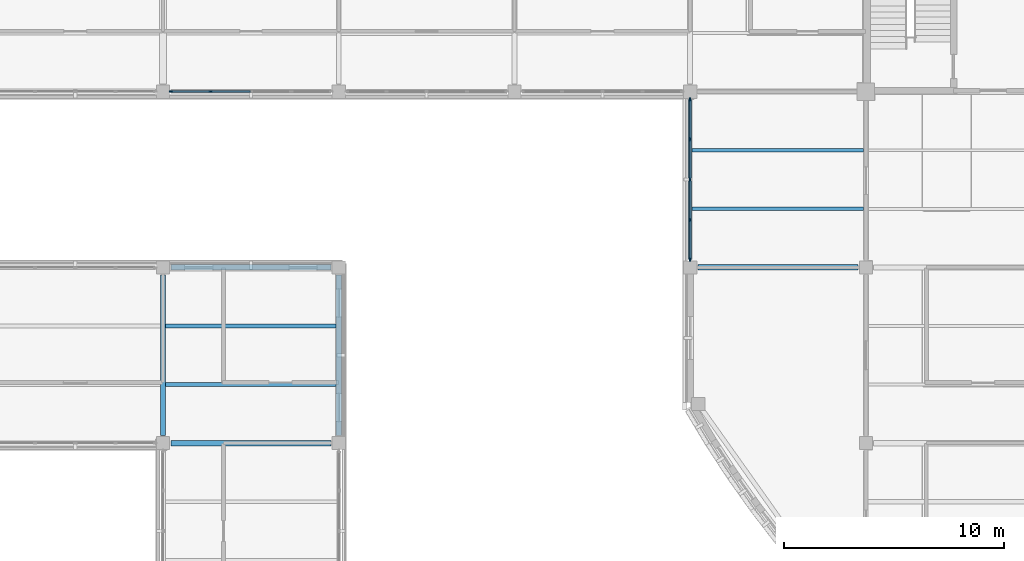
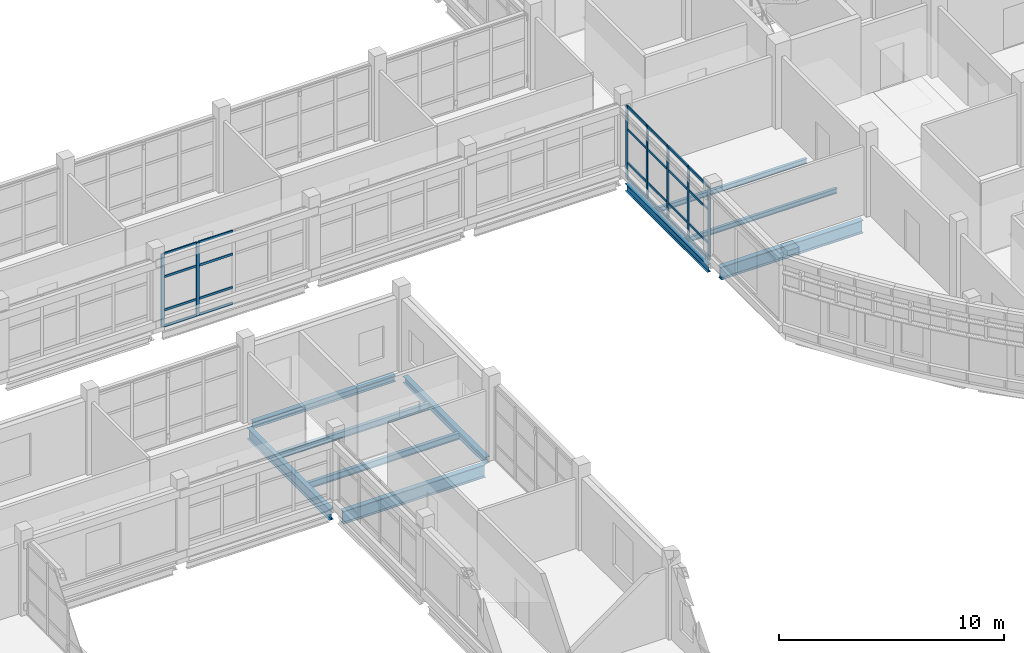
# One storey, part 18 of 121: 31 members, 10 beams, 2 elements without a shape of their own.
"""IFC4 building model written with IfcOpenShell, lengths in metres."""

from ifc_helpers import new_model, si_unit, derived_unit, direction, frame, origin, origin_2d, place, context, subcontext, project, spatial, rectangle, i_section, extrude, material, layer, layer_set, material_profile, profile_set, type_object, element, aggregate, save


model = new_model("IFC4")

# Units and contexts
model_context = context("Model", 3, precision=1e-05, world=origin(), true_north=direction((0.0, 1.0)))
body_context = subcontext(model_context, "Body", "Model", "MODEL_VIEW")
ifc_project = project(units=[si_unit("LENGTHUNIT", "METRE"), si_unit("AREAUNIT", "SQUARE_METRE"), si_unit("VOLUMEUNIT", "CUBIC_METRE"), si_unit("PLANEANGLEUNIT", "RADIAN"), si_unit("MASSUNIT", "GRAM", prefix="KILO"), derived_unit("THERMALTRANSMITTANCEUNIT", [(si_unit("MASSUNIT", "GRAM", prefix="KILO"), 1), (si_unit("TIMEUNIT", "SECOND"), -3), (si_unit("THERMODYNAMICTEMPERATUREUNIT", "KELVIN"), -1)])], contexts=[model_context])

# Site, building, storey
site_placement = place(None, origin())
site = spatial("IfcSite", under=ifc_project, at=site_placement, CompositionType="ELEMENT")
building_placement = place(site_placement, origin())
building = spatial("IfcBuilding", under=site, at=building_placement, Name="Veyamyaing Civic Hall", CompositionType="ELEMENT")
storey_placement = place(building_placement, frame((0.0, 0.0, 5.280029296875)))
storey = spatial("IfcBuildingStorey", under=building, at=storey_placement, Name="L01", CompositionType="ELEMENT", Elevation=5.280029296875)

# Beams
ifc_material_1 = material(Name="Steel ASTM A992", Category="steel")
ifc_material_profile_1 = material_profile(ifc_material_1, i_section(OverallWidth=0.256103515625, OverallDepth=0.693115234375, WebThickness=0.014404296875, FlangeThickness=0.023681640625, FilletRadius=0.013916015625, at=origin_2d()), Name="W690X170")
ifc_profile_set_1 = profile_set([ifc_material_profile_1], Name="Steel ASTM A992")
beam_type_1 = type_object("IfcBeamType", Name="B-04", PredefinedType="BEAM", material=ifc_profile_set_1)
for number, where, z_axis, x_axis, name in (
    (1, (32.35009765625, 32.0, -0.591552734375), (1.0, 0.0, 0.0), (0.0, 1.0, 0.0), "Girder B-04 L01 Grid E 5-6"),
    (2, (56.35009765625, 40.0, -0.591552734375), (1.0, 0.0, 0.0), (0.0, 1.0, 0.0), "Girder B-04 L01 Grid F 8-9"),
):
    element("IfcBeam", number, at=place(storey_placement, frame(where, z_axis=z_axis, x_axis=x_axis)), inside=storey, type_object=beam_type_1, Name=name, PredefinedType="BEAM", context=body_context, shape_type="SweptSolid", body=[
        extrude(i_section(OverallWidth=0.256103515625, OverallDepth=0.693115234375, WebThickness=0.014404296875, FlangeThickness=0.023681640625, FilletRadius=0.013916015625, at=origin_2d()), origin(), (0.0, 0.0, 1.0), 7.2998046875),
    ])
ifc_material_profile_2 = material_profile(ifc_material_1, i_section(OverallWidth=0.22998046875, OverallDepth=0.616943359375, WebThickness=0.01318359375, FlangeThickness=0.022216796875, FilletRadius=0.012939453125, at=origin_2d()), Name="W610X140")
ifc_profile_set_2 = profile_set([ifc_material_profile_2], Name="Steel ASTM A992")
beam_type_2 = type_object("IfcBeamType", Name="B-05", PredefinedType="BEAM", material=ifc_profile_set_2)
beam_1_placement = place(storey_placement, frame((32.0, 32.35009765625, -0.553466796875), z_axis=(0.0, 1.0, 0.0), x_axis=(-1.0, 0.0, 0.0)))
element("IfcBeam", 3, at=beam_1_placement, inside=storey, type_object=beam_type_2, Name="Girder B-05 L01 Grid 5 E-F", PredefinedType="BEAM", context=body_context, shape_type="SweptSolid", body=[
    extrude(i_section(OverallWidth=0.22998046875, OverallDepth=0.616943359375, WebThickness=0.01318359375, FlangeThickness=0.022216796875, FilletRadius=0.012939453125, at=origin_2d()), origin(), (0.0, 0.0, 1.0), 7.2998046875),
])
ifc_material_profile_3 = material_profile(ifc_material_1, i_section(OverallWidth=0.180908203125, OverallDepth=0.4169921875, WebThickness=0.010986328125, FlangeThickness=0.018310546875, FilletRadius=0.010009765625, at=origin_2d()), Name="W410X85")
ifc_profile_set_3 = profile_set([ifc_material_profile_3], Name="Steel ASTM A992")
beam_type_3 = type_object("IfcBeamType", Name="B-19", PredefinedType="SPANDREL", material=ifc_profile_set_3)
beam_2_placement = place(storey_placement, frame((56.0, 40.35009765625, -0.45361328125), z_axis=(0.0, 1.0, 0.0), x_axis=(-1.0, 0.0, 0.0)))
element("IfcBeam", 4, at=beam_2_placement, inside=storey, type_object=beam_type_3, Name="Girder B-19 L01 Grid 8 F-G", PredefinedType="SPANDREL", context=body_context, shape_type="SweptSolid", body=[
    extrude(i_section(OverallWidth=0.180908203125, OverallDepth=0.4169921875, WebThickness=0.010986328125, FlangeThickness=0.018310546875, FilletRadius=0.010009765625, at=origin_2d()), origin(), (0.0, 0.0, 1.0), 7.2998046875),
])
ifc_material_profile_4 = material_profile(ifc_material_1, i_section(OverallWidth=0.25390625, OverallDepth=0.35302734375, WebThickness=0.009521484375, FlangeThickness=0.016357421875, FilletRadius=0.011962890625, at=origin_2d()), Name="W360X91")
ifc_profile_set_4 = profile_set([ifc_material_profile_4], Name="Steel ASTM A992")
beam_type_4 = type_object("IfcBeamType", Name="B-20", PredefinedType="SPANDREL", material=ifc_profile_set_4)
for number, where, z_axis, x_axis, name in (
    (5, (32.35009765625, 40.0, -0.421630859375), (1.0, 0.0, 0.0), (0.0, 1.0, 0.0), "Girder B-20 L01 Grid F 5-6"),
    (6, (40.0, 32.35009765625, -0.421630859375), (0.0, 1.0, 0.0), (-1.0, 0.0, 0.0), "Girder B-20 L01 Grid 6 E-F"),
):
    element("IfcBeam", number, at=place(storey_placement, frame(where, z_axis=z_axis, x_axis=x_axis)), inside=storey, type_object=beam_type_4, Name=name, PredefinedType="SPANDREL", context=body_context, shape_type="SweptSolid", body=[
        extrude(i_section(OverallWidth=0.25390625, OverallDepth=0.35302734375, WebThickness=0.009521484375, FlangeThickness=0.016357421875, FilletRadius=0.011962890625, at=origin_2d()), origin(), (0.0, 0.0, 1.0), 7.2998046875),
    ])

# Curtain wall, members
ifc_material_2 = material(Name="Anodised aluminium 6063-T6", Category="aluminium")
ifc_layer = layer(ifc_material_2, 0.159912109375, Name="Anodised aluminium 6063-T6")
ifc_layer_set = layer_set([ifc_layer], Name="Anodised aluminium 6063-T6")
curtain_wall_type = type_object("IfcCurtainWallType", Name="CW-02", PredefinedType="NOTDEFINED", material=ifc_layer_set)
curtain_wall_1_placement = place(storey_placement, origin())
curtain_wall_1 = element("IfcCurtainWall", 7, at=curtain_wall_1_placement, inside=storey, type_object=curtain_wall_type, Name="Unitized curtain wall CW-02 L01 S 5.7", PredefinedType="NOTDEFINED")
ifc_material_profile_5 = material_profile(ifc_material_2, rectangle(XDim=0.06494140625, YDim=0.159912109375, at=origin_2d()), Name="ALU-MUL-65X160")
ifc_profile_set_5 = profile_set([ifc_material_profile_5], Name="Anodised aluminium 6063-T6")
member_type_1 = type_object("IfcMemberType", Name="CWM-01", PredefinedType="MULLION", material=ifc_profile_set_5)
member_1_placement = place(storey_placement, frame((32.362548828125, 48.0, 0.0), z_axis=(0.0, 0.0, 1.0), x_axis=(0.0, 1.0, 0.0)))
member_1 = element("IfcMember", 8, at=member_1_placement, type_object=member_type_1, Name="CW-02 mullion 1", PredefinedType="MULLION", context=body_context, shape_type="SweptSolid", body=[
    extrude(rectangle(XDim=0.06494140625, YDim=0.159912109375, at=origin_2d()), origin(), (0.0, 0.0, 1.0), 3.97705078125),
])
member_2_placement = place(storey_placement, frame((34.1650390625, 48.0, 0.0), z_axis=(0.0, 0.0, 1.0), x_axis=(0.0, 1.0, 0.0)))
member_2 = element("IfcMember", 9, at=member_2_placement, type_object=member_type_1, Name="CW-02 mullion 2", PredefinedType="MULLION", context=body_context, shape_type="SweptSolid", body=[
    extrude(rectangle(XDim=0.06494140625, YDim=0.159912109375, at=origin_2d()), origin(), (0.0, 0.0, 1.0), 3.97705078125),
])

curtain_wall_2_placement = place(storey_placement, origin())
curtain_wall_2 = element("IfcCurtainWall", 10, at=curtain_wall_2_placement, inside=storey, type_object=curtain_wall_type, Name="Unitized curtain wall CW-02 L01 W 8.6", PredefinedType="NOTDEFINED")
member_3_placement = place(storey_placement, frame((56.0, 40.362548828125, 0.0), z_axis=(0.0, 0.0, 1.0), x_axis=(-1.0, 0.0, 0.0)))
member_3 = element("IfcMember", 11, at=member_3_placement, type_object=member_type_1, Name="CW-02 mullion 1", PredefinedType="MULLION", context=body_context, shape_type="SweptSolid", body=[
    extrude(rectangle(XDim=0.06494140625, YDim=0.159912109375, at=origin_2d()), origin(), (0.0, 0.0, 1.0), 3.973876953125),
])
member_4_placement = place(storey_placement, frame((56.0, 42.1650390625, 0.0), z_axis=(0.0, 0.0, 1.0), x_axis=(-1.0, 0.0, 0.0)))
member_4 = element("IfcMember", 12, at=member_4_placement, type_object=member_type_1, Name="CW-02 mullion 2", PredefinedType="MULLION", context=body_context, shape_type="SweptSolid", body=[
    extrude(rectangle(XDim=0.06494140625, YDim=0.159912109375, at=origin_2d()), origin(), (0.0, 0.0, 1.0), 3.973876953125),
])
member_5_placement = place(storey_placement, frame((56.0, 44.0, 0.0), z_axis=(0.0, 0.0, 1.0), x_axis=(-1.0, 0.0, 0.0)))
member_5 = element("IfcMember", 13, at=member_5_placement, type_object=member_type_1, Name="CW-02 mullion 3", PredefinedType="MULLION", context=body_context, shape_type="SweptSolid", body=[
    extrude(rectangle(XDim=0.06494140625, YDim=0.159912109375, at=origin_2d()), origin(), (0.0, 0.0, 1.0), 3.973876953125),
])
member_6_placement = place(storey_placement, frame((56.0, 45.8349609375, 0.0), z_axis=(0.0, 0.0, 1.0), x_axis=(-1.0, 0.0, 0.0)))
member_6 = element("IfcMember", 14, at=member_6_placement, type_object=member_type_1, Name="CW-02 mullion 4", PredefinedType="MULLION", context=body_context, shape_type="SweptSolid", body=[
    extrude(rectangle(XDim=0.06494140625, YDim=0.159912109375, at=origin_2d()), origin(), (0.0, 0.0, 1.0), 3.973876953125),
])
member_7_placement = place(storey_placement, frame((56.0, 47.637451171875, 0.0), z_axis=(0.0, 0.0, 1.0), x_axis=(-1.0, 0.0, 0.0)))
member_7 = element("IfcMember", 15, at=member_7_placement, type_object=member_type_1, Name="CW-02 mullion 5", PredefinedType="MULLION", context=body_context, shape_type="SweptSolid", body=[
    extrude(rectangle(XDim=0.06494140625, YDim=0.159912109375, at=origin_2d()), origin(), (0.0, 0.0, 1.0), 3.973876953125),
])

# Member
ifc_material_profile_6 = material_profile(ifc_material_2, rectangle(XDim=0.06494140625, YDim=0.1201171875, at=origin_2d()), Name="ALU-TRN-65X120")
ifc_profile_set_6 = profile_set([ifc_material_profile_6], Name="Anodised aluminium 6063-T6")
member_type_2 = type_object("IfcMemberType", Name="CWT-01", PredefinedType="USERDEFINED", material=ifc_profile_set_6)
member_8_placement = place(storey_placement, frame((32.39501953125, 48.0, 0.032470703125), z_axis=(1.0, 0.0, 0.0), x_axis=(0.0, 1.0, 0.0)))
member_8 = element("IfcMember", 16, at=member_8_placement, type_object=member_type_2, Name="CW-02 transom 1.1", ObjectType="TRANSOM", PredefinedType="USERDEFINED", context=body_context, shape_type="SweptSolid", body=[
    extrude(rectangle(XDim=0.06494140625, YDim=0.1201171875, at=origin_2d()), origin(), (0.0, 0.0, 1.0), 1.737548828125),
])

member_9_placement = place(storey_placement, frame((32.39501953125, 48.0, 0.89990234375), z_axis=(1.0, 0.0, 0.0), x_axis=(0.0, 1.0, 0.0)))
member_9 = element("IfcMember", 17, at=member_9_placement, type_object=member_type_2, Name="CW-02 transom 1.2", ObjectType="TRANSOM", PredefinedType="USERDEFINED", context=body_context, shape_type="SweptSolid", body=[
    extrude(rectangle(XDim=0.06494140625, YDim=0.1201171875, at=origin_2d()), origin(), (0.0, 0.0, 1.0), 1.737548828125),
])

member_10_placement = place(storey_placement, frame((32.39501953125, 48.0, 2.704345703125), z_axis=(1.0, 0.0, 0.0), x_axis=(0.0, 1.0, 0.0)))
member_10 = element("IfcMember", 18, at=member_10_placement, type_object=member_type_2, Name="CW-02 transom 1.3", ObjectType="TRANSOM", PredefinedType="USERDEFINED", context=body_context, shape_type="SweptSolid", body=[
    extrude(rectangle(XDim=0.06494140625, YDim=0.1201171875, at=origin_2d()), origin(), (0.0, 0.0, 1.0), 1.737548828125),
])

member_11_placement = place(storey_placement, frame((32.39501953125, 48.0, 3.944580078125), z_axis=(1.0, 0.0, 0.0), x_axis=(0.0, 1.0, 0.0)))
member_11 = element("IfcMember", 19, at=member_11_placement, type_object=member_type_2, Name="CW-02 transom 1.4", ObjectType="TRANSOM", PredefinedType="USERDEFINED", context=body_context, shape_type="SweptSolid", body=[
    extrude(rectangle(XDim=0.06494140625, YDim=0.1201171875, at=origin_2d()), origin(), (0.0, 0.0, 1.0), 1.737548828125),
])

member_12_placement = place(storey_placement, frame((34.197509765625, 48.0, 0.032470703125), z_axis=(1.0, 0.0, 0.0), x_axis=(0.0, 1.0, 0.0)))
member_12 = element("IfcMember", 20, at=member_12_placement, type_object=member_type_2, Name="CW-02 transom 2.1", ObjectType="TRANSOM", PredefinedType="USERDEFINED", context=body_context, shape_type="SweptSolid", body=[
    extrude(rectangle(XDim=0.06494140625, YDim=0.1201171875, at=origin_2d()), origin(), (0.0, 0.0, 1.0), 1.77001953125),
])

member_13_placement = place(storey_placement, frame((34.197509765625, 48.0, 0.89990234375), z_axis=(1.0, 0.0, 0.0), x_axis=(0.0, 1.0, 0.0)))
member_13 = element("IfcMember", 21, at=member_13_placement, type_object=member_type_2, Name="CW-02 transom 2.2", ObjectType="TRANSOM", PredefinedType="USERDEFINED", context=body_context, shape_type="SweptSolid", body=[
    extrude(rectangle(XDim=0.06494140625, YDim=0.1201171875, at=origin_2d()), origin(), (0.0, 0.0, 1.0), 1.77001953125),
])

member_14_placement = place(storey_placement, frame((34.197509765625, 48.0, 2.704345703125), z_axis=(1.0, 0.0, 0.0), x_axis=(0.0, 1.0, 0.0)))
member_14 = element("IfcMember", 22, at=member_14_placement, type_object=member_type_2, Name="CW-02 transom 2.3", ObjectType="TRANSOM", PredefinedType="USERDEFINED", context=body_context, shape_type="SweptSolid", body=[
    extrude(rectangle(XDim=0.06494140625, YDim=0.1201171875, at=origin_2d()), origin(), (0.0, 0.0, 1.0), 1.77001953125),
])

member_15_placement = place(storey_placement, frame((34.197509765625, 48.0, 3.944580078125), z_axis=(1.0, 0.0, 0.0), x_axis=(0.0, 1.0, 0.0)))
member_15 = element("IfcMember", 23, at=member_15_placement, type_object=member_type_2, Name="CW-02 transom 2.4", ObjectType="TRANSOM", PredefinedType="USERDEFINED", context=body_context, shape_type="SweptSolid", body=[
    extrude(rectangle(XDim=0.06494140625, YDim=0.1201171875, at=origin_2d()), origin(), (0.0, 0.0, 1.0), 1.77001953125),
])

aggregate(curtain_wall_1, [member_1, member_2, member_8, member_9, member_10, member_11, member_12, member_13, member_14, member_15])

member_16_placement = place(storey_placement, frame((56.0, 40.39501953125, 0.032470703125), z_axis=(0.0, 1.0, 0.0), x_axis=(-1.0, 0.0, 0.0)))
member_16 = element("IfcMember", 24, at=member_16_placement, type_object=member_type_2, Name="CW-02 transom 1.1", ObjectType="TRANSOM", PredefinedType="USERDEFINED", context=body_context, shape_type="SweptSolid", body=[
    extrude(rectangle(XDim=0.06494140625, YDim=0.1201171875, at=origin_2d()), origin(), (0.0, 0.0, 1.0), 1.737548828125),
])

member_17_placement = place(storey_placement, frame((56.0, 40.39501953125, 0.89990234375), z_axis=(0.0, 1.0, 0.0), x_axis=(-1.0, 0.0, 0.0)))
member_17 = element("IfcMember", 25, at=member_17_placement, type_object=member_type_2, Name="CW-02 transom 1.2", ObjectType="TRANSOM", PredefinedType="USERDEFINED", context=body_context, shape_type="SweptSolid", body=[
    extrude(rectangle(XDim=0.06494140625, YDim=0.1201171875, at=origin_2d()), origin(), (0.0, 0.0, 1.0), 1.737548828125),
])

member_18_placement = place(storey_placement, frame((56.0, 40.39501953125, 2.702392578125), z_axis=(0.0, 1.0, 0.0), x_axis=(-1.0, 0.0, 0.0)))
member_18 = element("IfcMember", 26, at=member_18_placement, type_object=member_type_2, Name="CW-02 transom 1.3", ObjectType="TRANSOM", PredefinedType="USERDEFINED", context=body_context, shape_type="SweptSolid", body=[
    extrude(rectangle(XDim=0.06494140625, YDim=0.1201171875, at=origin_2d()), origin(), (0.0, 0.0, 1.0), 1.737548828125),
])

member_19_placement = place(storey_placement, frame((56.0, 40.39501953125, 3.94140625), z_axis=(0.0, 1.0, 0.0), x_axis=(-1.0, 0.0, 0.0)))
member_19 = element("IfcMember", 27, at=member_19_placement, type_object=member_type_2, Name="CW-02 transom 1.4", ObjectType="TRANSOM", PredefinedType="USERDEFINED", context=body_context, shape_type="SweptSolid", body=[
    extrude(rectangle(XDim=0.06494140625, YDim=0.1201171875, at=origin_2d()), origin(), (0.0, 0.0, 1.0), 1.737548828125),
])

member_20_placement = place(storey_placement, frame((56.0, 42.197509765625, 0.032470703125), z_axis=(0.0, 1.0, 0.0), x_axis=(-1.0, 0.0, 0.0)))
member_20 = element("IfcMember", 28, at=member_20_placement, type_object=member_type_2, Name="CW-02 transom 2.1", ObjectType="TRANSOM", PredefinedType="USERDEFINED", context=body_context, shape_type="SweptSolid", body=[
    extrude(rectangle(XDim=0.06494140625, YDim=0.1201171875, at=origin_2d()), origin(), (0.0, 0.0, 1.0), 1.77001953125),
])

member_21_placement = place(storey_placement, frame((56.0, 42.197509765625, 0.89990234375), z_axis=(0.0, 1.0, 0.0), x_axis=(-1.0, 0.0, 0.0)))
member_21 = element("IfcMember", 29, at=member_21_placement, type_object=member_type_2, Name="CW-02 transom 2.2", ObjectType="TRANSOM", PredefinedType="USERDEFINED", context=body_context, shape_type="SweptSolid", body=[
    extrude(rectangle(XDim=0.06494140625, YDim=0.1201171875, at=origin_2d()), origin(), (0.0, 0.0, 1.0), 1.77001953125),
])

member_22_placement = place(storey_placement, frame((56.0, 42.197509765625, 2.702392578125), z_axis=(0.0, 1.0, 0.0), x_axis=(-1.0, 0.0, 0.0)))
member_22 = element("IfcMember", 30, at=member_22_placement, type_object=member_type_2, Name="CW-02 transom 2.3", ObjectType="TRANSOM", PredefinedType="USERDEFINED", context=body_context, shape_type="SweptSolid", body=[
    extrude(rectangle(XDim=0.06494140625, YDim=0.1201171875, at=origin_2d()), origin(), (0.0, 0.0, 1.0), 1.77001953125),
])

member_23_placement = place(storey_placement, frame((56.0, 42.197509765625, 3.94140625), z_axis=(0.0, 1.0, 0.0), x_axis=(-1.0, 0.0, 0.0)))
member_23 = element("IfcMember", 31, at=member_23_placement, type_object=member_type_2, Name="CW-02 transom 2.4", ObjectType="TRANSOM", PredefinedType="USERDEFINED", context=body_context, shape_type="SweptSolid", body=[
    extrude(rectangle(XDim=0.06494140625, YDim=0.1201171875, at=origin_2d()), origin(), (0.0, 0.0, 1.0), 1.77001953125),
])

member_24_placement = place(storey_placement, frame((56.0, 44.032470703125, 0.032470703125), z_axis=(0.0, 1.0, 0.0), x_axis=(-1.0, 0.0, 0.0)))
member_24 = element("IfcMember", 32, at=member_24_placement, type_object=member_type_2, Name="CW-02 transom 3.1", ObjectType="TRANSOM", PredefinedType="USERDEFINED", context=body_context, shape_type="SweptSolid", body=[
    extrude(rectangle(XDim=0.06494140625, YDim=0.1201171875, at=origin_2d()), origin(), (0.0, 0.0, 1.0), 1.77001953125),
])

member_25_placement = place(storey_placement, frame((56.0, 44.032470703125, 0.89990234375), z_axis=(0.0, 1.0, 0.0), x_axis=(-1.0, 0.0, 0.0)))
member_25 = element("IfcMember", 33, at=member_25_placement, type_object=member_type_2, Name="CW-02 transom 3.2", ObjectType="TRANSOM", PredefinedType="USERDEFINED", context=body_context, shape_type="SweptSolid", body=[
    extrude(rectangle(XDim=0.06494140625, YDim=0.1201171875, at=origin_2d()), origin(), (0.0, 0.0, 1.0), 1.77001953125),
])

member_26_placement = place(storey_placement, frame((56.0, 44.032470703125, 2.702392578125), z_axis=(0.0, 1.0, 0.0), x_axis=(-1.0, 0.0, 0.0)))
member_26 = element("IfcMember", 34, at=member_26_placement, type_object=member_type_2, Name="CW-02 transom 3.3", ObjectType="TRANSOM", PredefinedType="USERDEFINED", context=body_context, shape_type="SweptSolid", body=[
    extrude(rectangle(XDim=0.06494140625, YDim=0.1201171875, at=origin_2d()), origin(), (0.0, 0.0, 1.0), 1.77001953125),
])

member_27_placement = place(storey_placement, frame((56.0, 44.032470703125, 3.94140625), z_axis=(0.0, 1.0, 0.0), x_axis=(-1.0, 0.0, 0.0)))
member_27 = element("IfcMember", 35, at=member_27_placement, type_object=member_type_2, Name="CW-02 transom 3.4", ObjectType="TRANSOM", PredefinedType="USERDEFINED", context=body_context, shape_type="SweptSolid", body=[
    extrude(rectangle(XDim=0.06494140625, YDim=0.1201171875, at=origin_2d()), origin(), (0.0, 0.0, 1.0), 1.77001953125),
])

member_28_placement = place(storey_placement, frame((56.0, 45.867431640625, 0.032470703125), z_axis=(0.0, 1.0, 0.0), x_axis=(-1.0, 0.0, 0.0)))
member_28 = element("IfcMember", 36, at=member_28_placement, type_object=member_type_2, Name="CW-02 transom 4.1", ObjectType="TRANSOM", PredefinedType="USERDEFINED", context=body_context, shape_type="SweptSolid", body=[
    extrude(rectangle(XDim=0.06494140625, YDim=0.1201171875, at=origin_2d()), origin(), (0.0, 0.0, 1.0), 1.737548828125),
])

member_29_placement = place(storey_placement, frame((56.0, 45.867431640625, 0.89990234375), z_axis=(0.0, 1.0, 0.0), x_axis=(-1.0, 0.0, 0.0)))
member_29 = element("IfcMember", 37, at=member_29_placement, type_object=member_type_2, Name="CW-02 transom 4.2", ObjectType="TRANSOM", PredefinedType="USERDEFINED", context=body_context, shape_type="SweptSolid", body=[
    extrude(rectangle(XDim=0.06494140625, YDim=0.1201171875, at=origin_2d()), origin(), (0.0, 0.0, 1.0), 1.737548828125),
])

member_30_placement = place(storey_placement, frame((56.0, 45.867431640625, 2.702392578125), z_axis=(0.0, 1.0, 0.0), x_axis=(-1.0, 0.0, 0.0)))
member_30 = element("IfcMember", 38, at=member_30_placement, type_object=member_type_2, Name="CW-02 transom 4.3", ObjectType="TRANSOM", PredefinedType="USERDEFINED", context=body_context, shape_type="SweptSolid", body=[
    extrude(rectangle(XDim=0.06494140625, YDim=0.1201171875, at=origin_2d()), origin(), (0.0, 0.0, 1.0), 1.737548828125),
])

member_31_placement = place(storey_placement, frame((56.0, 45.867431640625, 3.94140625), z_axis=(0.0, 1.0, 0.0), x_axis=(-1.0, 0.0, 0.0)))
member_31 = element("IfcMember", 39, at=member_31_placement, type_object=member_type_2, Name="CW-02 transom 4.4", ObjectType="TRANSOM", PredefinedType="USERDEFINED", context=body_context, shape_type="SweptSolid", body=[
    extrude(rectangle(XDim=0.06494140625, YDim=0.1201171875, at=origin_2d()), origin(), (0.0, 0.0, 1.0), 1.737548828125),
])

aggregate(curtain_wall_2, [member_3, member_4, member_5, member_6, member_7, member_16, member_17, member_18, member_19, member_20, member_21, member_22, member_23, member_24, member_25, member_26, member_27, member_28, member_29, member_30, member_31])

# Beams
ifc_material_profile_7 = material_profile(ifc_material_1, i_section(OverallWidth=0.1708984375, OverallDepth=0.35205078125, WebThickness=0.0068359375, FlangeThickness=0.009765625, FilletRadius=0.010009765625, at=origin_2d()), Name="W360X44")
ifc_profile_set_7 = profile_set([ifc_material_profile_7], Name="Steel ASTM A992")
beam_type_5 = type_object("IfcBeamType", Name="J-03", PredefinedType="JOIST", material=ifc_profile_set_7)
for number, where, z_axis, x_axis, name in (
    (40, (32.113037109375, 34.666748046875, -0.421142578125), (1.0, 0.0, 0.0), (0.0, 1.0, 0.0), "Composite floor joist J-03 L01 5.5.1"),
    (41, (32.113037109375, 37.333251953125, -0.421142578125), (1.0, 0.0, 0.0), (0.0, 1.0, 0.0), "Composite floor joist J-03 L01 5.5.2"),
):
    element("IfcBeam", number, at=place(storey_placement, frame(where, z_axis=z_axis, x_axis=x_axis)), inside=storey, type_object=beam_type_5, Name=name, PredefinedType="JOIST", context=body_context, shape_type="SweptSolid", body=[
        extrude(i_section(OverallWidth=0.1708984375, OverallDepth=0.35205078125, WebThickness=0.0068359375, FlangeThickness=0.009765625, FilletRadius=0.010009765625, at=origin_2d()), origin(), (0.0, 0.0, 1.0), 7.761962890625),
    ])
ifc_material_profile_8 = material_profile(ifc_material_1, i_section(OverallWidth=0.14794921875, OverallDepth=0.26611328125, WebThickness=0.007568359375, FlangeThickness=0.012939453125, FilletRadius=0.010009765625, at=origin_2d()), Name="W250X45")
ifc_profile_set_8 = profile_set([ifc_material_profile_8], Name="Steel ASTM A992")
beam_type_6 = type_object("IfcBeamType", Name="J-07", PredefinedType="JOIST", material=ifc_profile_set_8)
for number, where, z_axis, x_axis, name in (
    (42, (56.08837890625, 42.666748046875, -0.3779296875), (1.0, 0.0, 0.0), (0.0, 1.0, 0.0), "Composite floor joist J-07 L01 8.6.1"),
    (43, (56.08837890625, 45.333251953125, -0.3779296875), (1.0, 0.0, 0.0), (0.0, 1.0, 0.0), "Composite floor joist J-07 L01 8.6.2"),
):
    element("IfcBeam", number, at=place(storey_placement, frame(where, z_axis=z_axis, x_axis=x_axis)), inside=storey, type_object=beam_type_6, Name=name, PredefinedType="JOIST", context=body_context, shape_type="SweptSolid", body=[
        extrude(i_section(OverallWidth=0.14794921875, OverallDepth=0.26611328125, WebThickness=0.007568359375, FlangeThickness=0.012939453125, FilletRadius=0.010009765625, at=origin_2d()), origin(), (0.0, 0.0, 1.0), 7.799560546875),
    ])

save(model, "model.ifc")
